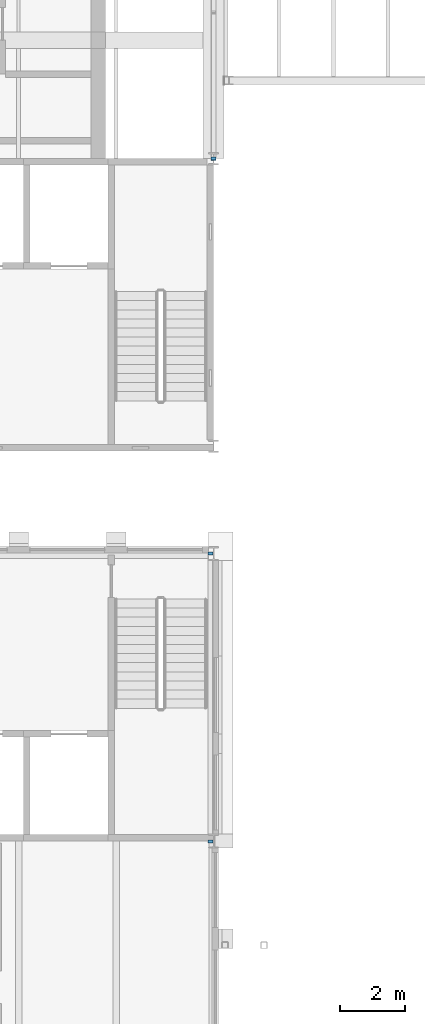
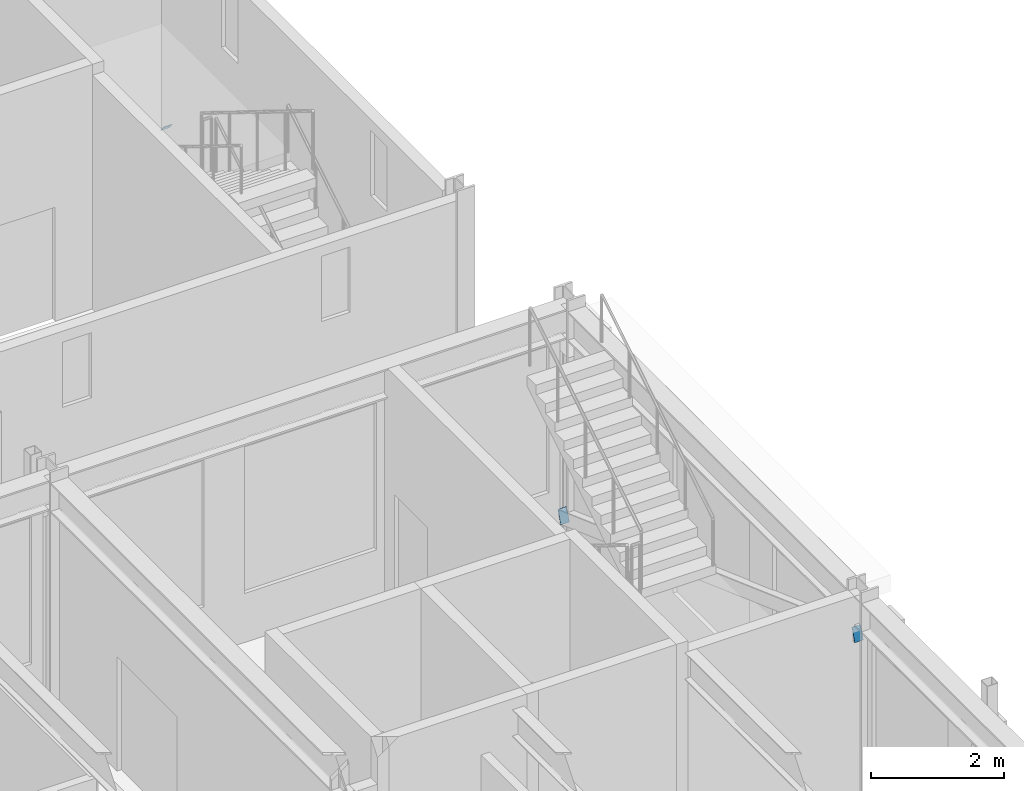
# One storey, part 121 of 153: 3 discrete accessories.
"""IFC4 building model written with IfcOpenShell, lengths in metres."""

from ifc_helpers import new_model, si_unit, direction, frame, origin, origin_2d, place, context, subcontext, project, spatial, rectangle, extrude, material, material_profile, profile_set, type_object, element, save


model = new_model("IFC4")

# Units and contexts
model_context = context("Model", 3, precision=1e-05, world=origin(), true_north=direction((0.0, 1.0)))
body_context = subcontext(model_context, "Body", "Model", "MODEL_VIEW")
ifc_project = project(units=[si_unit("LENGTHUNIT", "METRE"), si_unit("AREAUNIT", "SQUARE_METRE"), si_unit("VOLUMEUNIT", "CUBIC_METRE"), si_unit("PLANEANGLEUNIT", "RADIAN"), si_unit("MASSUNIT", "GRAM", prefix="KILO")], contexts=[model_context])

# Site, building, storey
site_placement = place(None, origin())
site = spatial("IfcSite", under=ifc_project, at=site_placement, CompositionType="ELEMENT")
building_placement = place(site_placement, origin())
building = spatial("IfcBuilding", under=site, at=building_placement, Name="Kallimachos Central Library", CompositionType="ELEMENT")
storey_placement = place(building_placement, frame((0.0, 0.0, 5.39990234375)))
storey = spatial("IfcBuildingStorey", under=building, at=storey_placement, Name="L01", CompositionType="ELEMENT", Elevation=5.39990234375)

# Discrete accessories
ifc_material_1 = material(Name="Steel S355J2", Category="steel")
ifc_material_profile_1 = material_profile(ifc_material_1, rectangle(XDim=0.14990234375, YDim=0.14990234375, at=origin_2d()), Name="End cap plate 10, 150x150")
ifc_profile_set_1 = profile_set([ifc_material_profile_1], Name="Steel S355J2")
discrete_accessory_type_1 = type_object("IfcDiscreteAccessoryType", Name="End cap plate 10, 150x150", PredefinedType="BRACKET", material=ifc_profile_set_1)
discrete_accessory_1_placement = place(storey_placement, frame((110.5, 95.9921875, 0.14404296875), z_axis=(0.0, 0.788024373725, 0.615644041972), x_axis=(-1.0, 0.0, 0.0)))
element("IfcDiscreteAccessory", 1, at=discrete_accessory_1_placement, inside=storey, type_object=discrete_accessory_type_1, Name="End cap plate", PredefinedType="BRACKET", context=body_context, shape_type="SweptSolid", body=[
    extrude(rectangle(XDim=0.14990234375, YDim=0.14990234375, at=origin_2d()), origin(), (0.0, 0.0, 1.0), 0.010009765625),
])
ifc_material_2 = material(Name="Steel S355J2", Category="steel")
ifc_material_profile_2 = material_profile(ifc_material_2, rectangle(XDim=0.14990234375, YDim=0.25, at=origin_2d()), Name="End cap plate 10, 150x250")
ifc_profile_set_2 = profile_set([ifc_material_profile_2], Name="Steel S355J2")
discrete_accessory_type_2 = type_object("IfcDiscreteAccessoryType", Name="End cap plate 10, 150x250", PredefinedType="BRACKET", material=ifc_profile_set_2)
discrete_accessory_2_placement = place(storey_placement, frame((110.39990234375, 83.859375, 0.396728515625), z_axis=(0.0, -0.938343116817, 0.345705358827), x_axis=(1.0, 0.0, 0.0)))
element("IfcDiscreteAccessory", 2, at=discrete_accessory_2_placement, inside=storey, type_object=discrete_accessory_type_2, Name="End cap plate", PredefinedType="BRACKET", context=body_context, shape_type="SweptSolid", body=[
    extrude(rectangle(XDim=0.14990234375, YDim=0.25, at=origin_2d()), origin(), (0.0, 0.0, 1.0), 0.009765625),
])
discrete_accessory_3_placement = place(storey_placement, frame((110.39990234375, 75.0, 3.60009765625), z_axis=(0.0, -0.941194670762, 0.337864753607), x_axis=(1.0, 0.0, 0.0)))
element("IfcDiscreteAccessory", 3, at=discrete_accessory_3_placement, inside=storey, type_object=discrete_accessory_type_2, Name="End cap plate", PredefinedType="BRACKET", context=body_context, shape_type="SweptSolid", body=[
    extrude(rectangle(XDim=0.14990234375, YDim=0.25, at=origin_2d()), origin(), (0.0, 0.0, 1.0), 0.010009765625),
])

save(model, "model.ifc")
